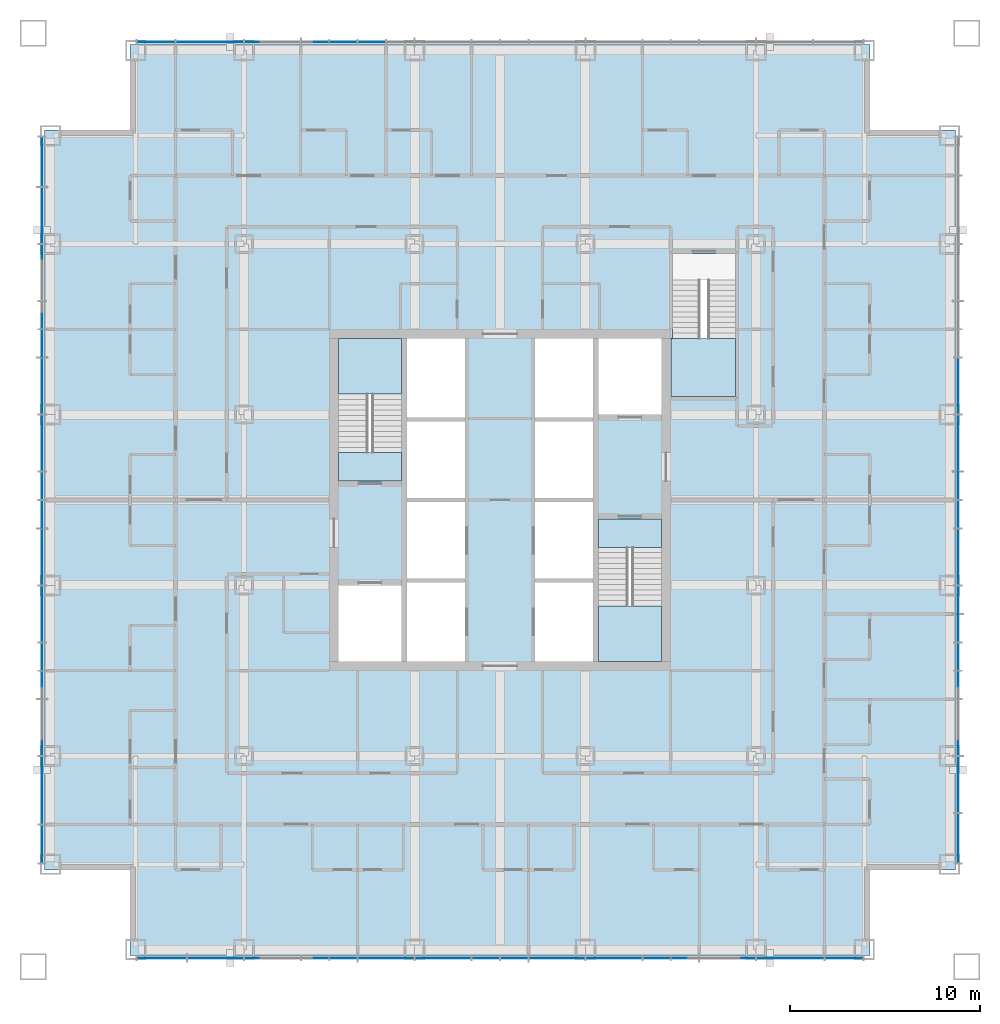
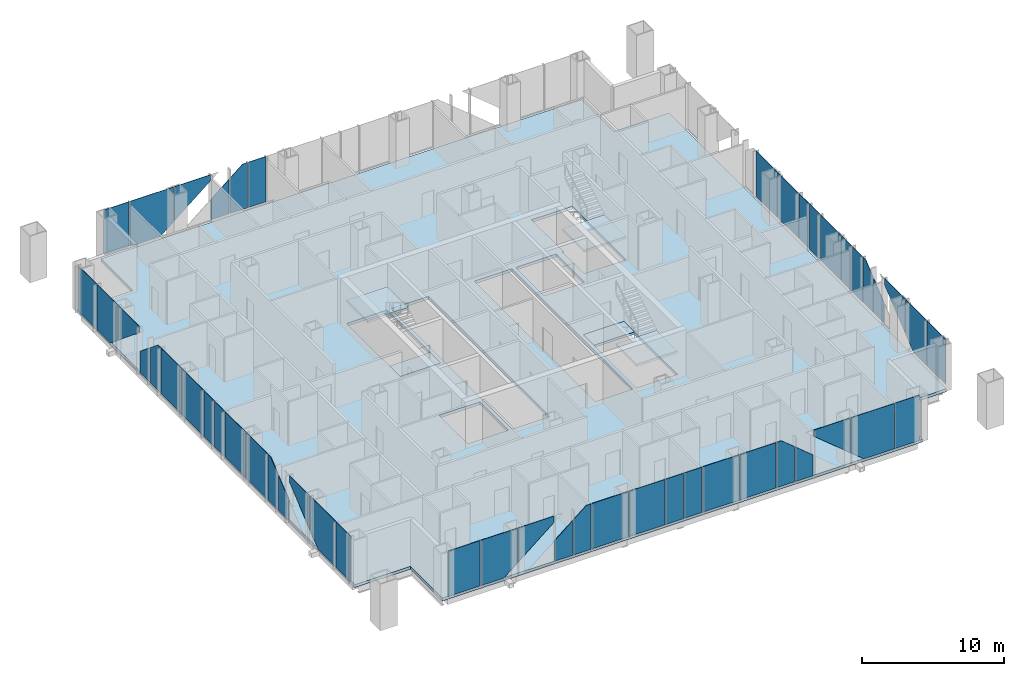
# One storey, part 7 of 16: 50 plates, 6 slabs, 7 elements without a shape of their own.
"""IFC4 building model written with IfcOpenShell, lengths in metres."""

from ifc_helpers import new_model, si_unit, direction, frame, origin, origin_2d, place, context, subcontext, project, spatial, polyline, rectangle, outline, extrude, material, layer, layer_set, type_object, element, aggregate, save


model = new_model("IFC4")

# Units and contexts
model_context = context("Model", 3, precision=1e-05, world=origin(), true_north=direction((0.0, 1.0)))
body_context = subcontext(model_context, "Body", "Model", "MODEL_VIEW")
ifc_project = project(units=[si_unit("LENGTHUNIT", "METRE"), si_unit("AREAUNIT", "SQUARE_METRE"), si_unit("VOLUMEUNIT", "CUBIC_METRE"), si_unit("PLANEANGLEUNIT", "RADIAN"), si_unit("MASSUNIT", "GRAM", prefix="KILO")], contexts=[model_context])

# Site, building, storey
site_placement = place(None, origin())
site = spatial("IfcSite", under=ifc_project, at=site_placement, CompositionType="ELEMENT")
building_placement = place(site_placement, origin())
building = spatial("IfcBuilding", under=site, at=building_placement, Name="Malebo Sky Hospital", CompositionType="ELEMENT")
storey_placement = place(building_placement, frame((0.0, 0.0, 108.0)))
storey = spatial("IfcBuildingStorey", under=building, at=storey_placement, Name="L25", CompositionType="ELEMENT", Elevation=108.0)

# Slab
ifc_material_1 = material(Name="Concrete C40/50", Category="concrete")
ifc_layer_1 = layer(ifc_material_1, 0.25)
ifc_layer_set_1 = layer_set([ifc_layer_1], Name="COMPOSITE FLOOR SLAB 250")
slab_type_1 = type_object("IfcSlabType", Name="COMPOSITE FLOOR SLAB 250", PredefinedType="FLOOR", material=ifc_layer_set_1)
slab_1_placement = place(storey_placement, frame((0.0, 0.0, -0.25)))
element("IfcSlab", 1, at=slab_1_placement, inside=storey, type_object=slab_type_1, Name="Floor slab L25", PredefinedType="FLOOR", context=body_context, shape_type="SweptSolid", body=[
    extrude(outline(polyline([(40.5, 86.0), (40.5, 81.5), (36.0, 81.5), (36.0, 42.5), (40.5, 42.5), (40.5, 38.0), (79.5, 38.0), (79.5, 42.5), (84.0, 42.5), (84.0, 81.5), (79.5, 81.5), (79.5, 86.0), (40.5, 86.0)]), holes=[polyline([(55.10009765625, 70.5), (58.14990234375, 70.5), (58.14990234375, 53.5), (55.10009765625, 53.5), (55.10009765625, 70.5)]), polyline([(64.89990234375, 70.5), (64.89990234375, 53.5), (61.85009765625, 53.5), (61.85009765625, 70.5), (64.89990234375, 70.5)]), polyline([(54.800048828125, 63.0), (51.5, 63.0), (51.5, 70.5), (54.800048828125, 70.5), (54.800048828125, 63.0)]), polyline([(51.5, 53.5), (51.5, 57.5), (54.800048828125, 57.5), (54.800048828125, 53.5), (51.5, 53.5)]), polyline([(65.199951171875, 61.0), (68.5, 61.0), (68.5, 53.5), (65.199951171875, 53.5), (65.199951171875, 61.0)]), polyline([(68.5, 70.5), (68.5, 66.5), (65.199951171875, 66.5), (65.199951171875, 70.5), (68.5, 70.5)]), polyline([(69.0, 67.449951171875), (69.0, 70.52001953125), (69.10009765625, 70.52001953125), (69.10009765625, 75.0), (72.39990234375, 75.0), (72.39990234375, 67.449951171875), (69.10009765625, 67.449951171875), (69.0, 67.449951171875)])]), origin(), (0.0, 0.0, 1.0), 0.25),
])

# Stair, slabs
stair_type_1 = type_object("IfcStairType", Name="HALF-TURN STAIR 1500 R167", PredefinedType="HALF_TURN_STAIR", material=ifc_material_1)
stair_1_placement = place(storey_placement, origin())
stair_1 = element("IfcStair", 2, at=stair_1_placement, inside=storey, type_object=stair_type_1, Name="Stair S1 L25 type ST1", PredefinedType="HALF_TURN_STAIR")
ifc_layer_2 = layer(ifc_material_1, 0.199951171875)
ifc_layer_set_2 = layer_set([ifc_layer_2], Name="STAIR LANDING 200")
slab_type_2 = type_object("IfcSlabType", Name="STAIR LANDING 200", PredefinedType="LANDING", material=ifc_layer_set_2)
slab_2_placement = place(storey_placement, frame((0.0, 0.0, -0.199951171875)))
slab_2 = element("IfcSlab", 3, at=slab_2_placement, type_object=slab_type_2, Name="S1 landing 1", PredefinedType="LANDING", context=body_context, shape_type="SweptSolid", body=[
    extrude(outline(polyline([(51.5, 63.0), (54.800048828125, 63.0), (54.800048828125, 64.5), (51.5, 64.5), (51.5, 63.0)])), origin(), (0.0, 0.0, 1.0), 0.199951171875),
])
slab_3_placement = place(storey_placement, frame((0.0, 0.0, 1.800048828125)))
slab_3 = element("IfcSlab", 4, at=slab_3_placement, type_object=slab_type_2, Name="S1 landing 2", PredefinedType="LANDING", context=body_context, shape_type="SweptSolid", body=[
    extrude(outline(polyline([(51.5, 67.580078125), (54.800048828125, 67.580078125), (54.800048828125, 70.5), (51.5, 70.5), (51.5, 67.580078125)])), origin(), (0.0, 0.0, 1.0), 0.199951171875),
])
aggregate(stair_1, [slab_2, slab_3])

stair_2_placement = place(storey_placement, origin())
stair_2 = element("IfcStair", 5, at=stair_2_placement, inside=storey, type_object=stair_type_1, Name="Stair S2 L25 type ST1", PredefinedType="HALF_TURN_STAIR")
slab_4_placement = place(storey_placement, frame((0.0, 0.0, -0.199951171875)))
slab_4 = element("IfcSlab", 6, at=slab_4_placement, type_object=slab_type_2, Name="S2 landing 1", PredefinedType="LANDING", context=body_context, shape_type="SweptSolid", body=[
    extrude(outline(polyline([(65.199951171875, 59.5), (68.5, 59.5), (68.5, 61.0), (65.199951171875, 61.0), (65.199951171875, 59.5)])), origin(), (0.0, 0.0, 1.0), 0.199951171875),
])
slab_5_placement = place(storey_placement, frame((0.0, 0.0, 1.800048828125)))
slab_5 = element("IfcSlab", 7, at=slab_5_placement, type_object=slab_type_2, Name="S2 landing 2", PredefinedType="LANDING", context=body_context, shape_type="SweptSolid", body=[
    extrude(outline(polyline([(65.199951171875, 53.5), (68.5, 53.5), (68.5, 56.419921875), (65.199951171875, 56.419921875), (65.199951171875, 53.5)])), origin(), (0.0, 0.0, 1.0), 0.199951171875),
])
aggregate(stair_2, [slab_4, slab_5])

# Stair, slab
stair_type_2 = type_object("IfcStairType", Name="HALF-TURN STAIR 1400 R167", PredefinedType="HALF_TURN_STAIR", material=ifc_material_1)
stair_3_placement = place(storey_placement, origin())
stair_3 = element("IfcStair", 8, at=stair_3_placement, inside=storey, type_object=stair_type_2, Name="Stair S3 L25 type ST1B", PredefinedType="HALF_TURN_STAIR")
slab_6_placement = place(storey_placement, frame((0.0, 0.0, 1.800048828125)))
slab_6 = element("IfcSlab", 9, at=slab_6_placement, type_object=slab_type_2, Name="S3 landing 2", PredefinedType="LANDING", context=body_context, shape_type="SweptSolid", body=[
    extrude(outline(polyline([(69.0, 67.449951171875), (72.39990234375, 67.449951171875), (72.39990234375, 70.52001953125), (69.0, 70.52001953125), (69.0, 67.449951171875)])), origin(), (0.0, 0.0, 1.0), 0.199951171875),
])
aggregate(stair_3, [slab_6])

# Curtain wall, plates
ifc_material_2 = material(Name="Anodised aluminium, natural silver", Category="aluminium")
ifc_layer_3 = layer(ifc_material_2, 0.25)
ifc_layer_set_3 = layer_set([ifc_layer_3], Name="WARD CURTAIN WALL NORTH AND SOUTH")
curtain_wall_type_1 = type_object("IfcCurtainWallType", Name="WARD CURTAIN WALL NORTH AND SOUTH", PredefinedType="NOTDEFINED", material=ifc_layer_set_3)
curtain_wall_1_placement = place(storey_placement, origin())
curtain_wall_1 = element("IfcCurtainWall", 10, at=curtain_wall_1_placement, inside=storey, type_object=curtain_wall_type_1, Name="NS curtain wall N", PredefinedType="NOTDEFINED")
ifc_material_3 = material(Name="Clear low-iron double glazing", Category="glass")
ifc_layer_4 = layer(ifc_material_3, 0.031982421875)
ifc_layer_set_4 = layer_set([ifc_layer_4], Name="VISION PANEL CLEAR 32")
plate_type = type_object("IfcPlateType", Name="VISION PANEL CLEAR 32", PredefinedType="CURTAIN_PANEL", material=ifc_layer_set_4)
plate_1_placement = place(storey_placement, frame((41.86865234375, 86.135009765625, 0.10009765625), z_axis=(0.0, 0.0, 1.0), x_axis=(1.0, 0.0, 0.0)))
plate_1 = element("IfcPlate", 11, at=plate_1_placement, type_object=plate_type, Name="Panel 1", PredefinedType="CURTAIN_PANEL", context=body_context, shape_type="SweptSolid", body=[
    extrude(rectangle(XDim=1.987548828125, YDim=0.031982421875, at=origin_2d()), origin(), (0.0, 0.0, 1.0), 3.889892578125),
])
plate_2_placement = place(storey_placement, frame((44.699951171875, 86.135009765625, 0.10009765625), z_axis=(0.0, 0.0, 1.0), x_axis=(1.0, 0.0, 0.0)))
plate_2 = element("IfcPlate", 12, at=plate_2_placement, type_object=plate_type, Name="Panel 2", PredefinedType="CURTAIN_PANEL", context=body_context, shape_type="SweptSolid", body=[
    extrude(outline(polyline([(-1.762451171875, 0.0), (0.697021484375, 0.0), (1.762451171875, 0.878173828125), (1.762451171875, 3.889892578125), (-1.762451171875, 3.889892578125), (-1.762451171875, 0.0)])), frame((0.0, 0.01611328125, 0.0), z_axis=(0.0, -1.0, 0.0), x_axis=(1.0, 0.0, 0.0)), (0.0, 0.0, 1.0), 0.031982421875),
])
plate_3_placement = place(storey_placement, frame((48.0, 86.135009765625, 1.0400390625), z_axis=(0.0, 0.0, 1.0), x_axis=(1.0, 0.0, 0.0)))
plate_3 = element("IfcPlate", 13, at=plate_3_placement, type_object=plate_type, Name="Panel 3", PredefinedType="CURTAIN_PANEL", context=body_context, shape_type="SweptSolid", body=[
    extrude(outline(polyline([(-1.46240234375, 0.0), (1.46240234375, 2.41064453125), (1.46240234375, 2.949951171875), (-1.46240234375, 2.949951171875), (-1.46240234375, 0.0)])), frame((0.0, 0.01611328125, 0.0), z_axis=(0.0, -1.0, 0.0), x_axis=(1.0, 0.0, 0.0)), (0.0, 0.0, 1.0), 0.031982421875),
])
plate_4_placement = place(storey_placement, frame((50.25, 86.135009765625, 0.10009765625), z_axis=(0.0, 0.0, 1.0), x_axis=(1.0, 0.0, 0.0)))
plate_4 = element("IfcPlate", 14, at=plate_4_placement, type_object=plate_type, Name="Panel 4", PredefinedType="CURTAIN_PANEL", context=body_context, shape_type="SweptSolid", body=[
    extrude(outline(polyline([(-0.71240234375, 0.0), (0.71240234375, 0.0), (0.71240234375, 2.9658203125), (-0.71240234375, 1.79150390625), (-0.71240234375, 0.0)])), frame((0.0, 0.01611328125, 0.0), z_axis=(0.0, -1.0, 0.0), x_axis=(1.0, 0.0, 0.0)), (0.0, 0.0, 1.0), 0.031982421875),
])
plate_5_placement = place(storey_placement, frame((51.75, 86.135009765625, 0.10009765625), z_axis=(0.0, 0.0, 1.0), x_axis=(1.0, 0.0, 0.0)))
plate_5 = element("IfcPlate", 15, at=plate_5_placement, type_object=plate_type, Name="Panel 5", PredefinedType="CURTAIN_PANEL", context=body_context, shape_type="SweptSolid", body=[
    extrude(outline(polyline([(-0.71240234375, 0.0), (0.71240234375, 0.0), (0.71240234375, 3.889892578125), (0.333740234375, 3.889892578125), (-0.71240234375, 3.02783203125), (-0.71240234375, 0.0)])), frame((0.0, 0.01611328125, 0.0), z_axis=(0.0, -1.0, 0.0), x_axis=(1.0, 0.0, 0.0)), (0.0, 0.0, 1.0), 0.031982421875),
])
plate_6_placement = place(storey_placement, frame((53.25, 86.135009765625, 0.10009765625), z_axis=(0.0, 0.0, 1.0), x_axis=(1.0, 0.0, 0.0)))
plate_6 = element("IfcPlate", 16, at=plate_6_placement, type_object=plate_type, Name="Panel 6", PredefinedType="CURTAIN_PANEL", context=body_context, shape_type="SweptSolid", body=[
    extrude(rectangle(XDim=1.425048828125, YDim=0.031982421875, at=origin_2d()), origin(), (0.0, 0.0, 1.0), 3.889892578125),
])
aggregate(curtain_wall_1, [plate_1, plate_2, plate_3, plate_4, plate_5, plate_6])

ifc_layer_5 = layer(ifc_material_2, 0.25)
ifc_layer_set_5 = layer_set([ifc_layer_5], Name="WARD CURTAIN WALL EAST AND WEST")
curtain_wall_type_2 = type_object("IfcCurtainWallType", Name="WARD CURTAIN WALL EAST AND WEST", PredefinedType="NOTDEFINED", material=ifc_layer_set_5)
curtain_wall_2_placement = place(storey_placement, origin())
curtain_wall_2 = element("IfcCurtainWall", 17, at=curtain_wall_2_placement, inside=storey, type_object=curtain_wall_type_2, Name="EW curtain wall W", PredefinedType="NOTDEFINED")
plate_7_placement = place(storey_placement, frame((35.864990234375, 43.86865234375, 0.10009765625), z_axis=(0.0, 0.0, 1.0), x_axis=(0.0, 1.0, 0.0)))
plate_7 = element("IfcPlate", 18, at=plate_7_placement, type_object=plate_type, Name="Panel 1", PredefinedType="CURTAIN_PANEL", context=body_context, shape_type="SweptSolid", body=[
    extrude(rectangle(XDim=1.987548828125, YDim=0.031982421875, at=origin_2d()), origin(), (0.0, 0.0, 1.0), 3.889892578125),
])
plate_8_placement = place(storey_placement, frame((35.864990234375, 46.699951171875, 0.10009765625), z_axis=(0.0, 0.0, 1.0), x_axis=(0.0, 1.0, 0.0)))
plate_8 = element("IfcPlate", 19, at=plate_8_placement, type_object=plate_type, Name="Panel 2", PredefinedType="CURTAIN_PANEL", context=body_context, shape_type="SweptSolid", body=[
    extrude(outline(polyline([(-1.762451171875, 0.0), (0.697021484375, 0.0), (1.762451171875, 0.878173828125), (1.762451171875, 3.889892578125), (-1.762451171875, 3.889892578125), (-1.762451171875, 0.0)])), frame((0.0, 0.01611328125, 0.0), z_axis=(0.0, -1.0, 0.0), x_axis=(1.0, 0.0, 0.0)), (0.0, 0.0, 1.0), 0.031982421875),
])
plate_9_placement = place(storey_placement, frame((35.864990234375, 50.0, 1.0400390625), z_axis=(0.0, 0.0, 1.0), x_axis=(0.0, 1.0, 0.0)))
plate_9 = element("IfcPlate", 20, at=plate_9_placement, type_object=plate_type, Name="Panel 3", PredefinedType="CURTAIN_PANEL", context=body_context, shape_type="SweptSolid", body=[
    extrude(outline(polyline([(-1.46240234375, 0.0), (1.46240234375, 2.41064453125), (1.46240234375, 2.949951171875), (-1.46240234375, 2.949951171875), (-1.46240234375, 0.0)])), frame((0.0, 0.01611328125, 0.0), z_axis=(0.0, -1.0, 0.0), x_axis=(1.0, 0.0, 0.0)), (0.0, 0.0, 1.0), 0.031982421875),
])
plate_10_placement = place(storey_placement, frame((35.864990234375, 52.25, 0.10009765625), z_axis=(0.0, 0.0, 1.0), x_axis=(0.0, 1.0, 0.0)))
plate_10 = element("IfcPlate", 21, at=plate_10_placement, type_object=plate_type, Name="Panel 4", PredefinedType="CURTAIN_PANEL", context=body_context, shape_type="SweptSolid", body=[
    extrude(outline(polyline([(-0.71240234375, 0.0), (0.71240234375, 0.0), (0.71240234375, 2.9658203125), (-0.71240234375, 1.79150390625), (-0.71240234375, 0.0)])), frame((0.0, 0.01611328125, 0.0), z_axis=(0.0, -1.0, 0.0), x_axis=(1.0, 0.0, 0.0)), (0.0, 0.0, 1.0), 0.031982421875),
])
plate_11_placement = place(storey_placement, frame((35.864990234375, 53.75, 0.10009765625), z_axis=(0.0, 0.0, 1.0), x_axis=(0.0, 1.0, 0.0)))
plate_11 = element("IfcPlate", 22, at=plate_11_placement, type_object=plate_type, Name="Panel 5", PredefinedType="CURTAIN_PANEL", context=body_context, shape_type="SweptSolid", body=[
    extrude(outline(polyline([(-0.71240234375, 0.0), (0.71240234375, 0.0), (0.71240234375, 3.889892578125), (0.333740234375, 3.889892578125), (-0.71240234375, 3.02783203125), (-0.71240234375, 0.0)])), frame((0.0, 0.01611328125, 0.0), z_axis=(0.0, -1.0, 0.0), x_axis=(1.0, 0.0, 0.0)), (0.0, 0.0, 1.0), 0.031982421875),
])
plate_12_placement = place(storey_placement, frame((35.864990234375, 56.0, 0.10009765625), z_axis=(0.0, 0.0, 1.0), x_axis=(0.0, 1.0, 0.0)))
plate_12 = element("IfcPlate", 23, at=plate_12_placement, type_object=plate_type, Name="Panel 6", PredefinedType="CURTAIN_PANEL", context=body_context, shape_type="SweptSolid", body=[
    extrude(rectangle(XDim=2.925048828125, YDim=0.031982421875, at=origin_2d()), origin(), (0.0, 0.0, 1.0), 3.889892578125),
])
plate_13_placement = place(storey_placement, frame((35.864990234375, 59.0, 0.10009765625), z_axis=(0.0, 0.0, 1.0), x_axis=(0.0, 1.0, 0.0)))
plate_13 = element("IfcPlate", 24, at=plate_13_placement, type_object=plate_type, Name="Panel 7", PredefinedType="CURTAIN_PANEL", context=body_context, shape_type="SweptSolid", body=[
    extrude(rectangle(XDim=2.925048828125, YDim=0.031982421875, at=origin_2d()), origin(), (0.0, 0.0, 1.0), 3.889892578125),
])
plate_14_placement = place(storey_placement, frame((35.864990234375, 61.25, 0.10009765625), z_axis=(0.0, 0.0, 1.0), x_axis=(0.0, 1.0, 0.0)))
plate_14 = element("IfcPlate", 25, at=plate_14_placement, type_object=plate_type, Name="Panel 8", PredefinedType="CURTAIN_PANEL", context=body_context, shape_type="SweptSolid", body=[
    extrude(rectangle(XDim=1.425048828125, YDim=0.031982421875, at=origin_2d()), origin(), (0.0, 0.0, 1.0), 3.889892578125),
])
plate_15_placement = place(storey_placement, frame((35.864990234375, 62.75, 0.10009765625), z_axis=(0.0, 0.0, 1.0), x_axis=(0.0, 1.0, 0.0)))
plate_15 = element("IfcPlate", 26, at=plate_15_placement, type_object=plate_type, Name="Panel 9", PredefinedType="CURTAIN_PANEL", context=body_context, shape_type="SweptSolid", body=[
    extrude(rectangle(XDim=1.425048828125, YDim=0.031982421875, at=origin_2d()), origin(), (0.0, 0.0, 1.0), 3.889892578125),
])
plate_16_placement = place(storey_placement, frame((35.864990234375, 65.0, 0.10009765625), z_axis=(0.0, 0.0, 1.0), x_axis=(0.0, 1.0, 0.0)))
plate_16 = element("IfcPlate", 27, at=plate_16_placement, type_object=plate_type, Name="Panel 10", PredefinedType="CURTAIN_PANEL", context=body_context, shape_type="SweptSolid", body=[
    extrude(rectangle(XDim=2.925048828125, YDim=0.031982421875, at=origin_2d()), origin(), (0.0, 0.0, 1.0), 3.889892578125),
])
plate_17_placement = place(storey_placement, frame((35.864990234375, 68.0, 0.10009765625), z_axis=(0.0, 0.0, 1.0), x_axis=(0.0, 1.0, 0.0)))
plate_17 = element("IfcPlate", 28, at=plate_17_placement, type_object=plate_type, Name="Panel 11", PredefinedType="CURTAIN_PANEL", context=body_context, shape_type="SweptSolid", body=[
    extrude(rectangle(XDim=2.925048828125, YDim=0.031982421875, at=origin_2d()), origin(), (0.0, 0.0, 1.0), 3.889892578125),
])
plate_18_placement = place(storey_placement, frame((35.864990234375, 70.25, 0.10009765625), z_axis=(0.0, 0.0, 1.0), x_axis=(0.0, 1.0, 0.0)))
plate_18 = element("IfcPlate", 29, at=plate_18_placement, type_object=plate_type, Name="Panel 12", PredefinedType="CURTAIN_PANEL", context=body_context, shape_type="SweptSolid", body=[
    extrude(outline(polyline([(-0.71240234375, 0.0), (0.71240234375, 0.0), (0.71240234375, 3.02783203125), (-0.333740234375, 3.889892578125), (-0.71240234375, 3.889892578125), (-0.71240234375, 0.0)])), frame((0.0, 0.01611328125, 0.0), z_axis=(0.0, -1.0, 0.0), x_axis=(1.0, 0.0, 0.0)), (0.0, 0.0, 1.0), 0.031982421875),
])
plate_19_placement = place(storey_placement, frame((35.864990234375, 71.75, 0.10009765625), z_axis=(0.0, 0.0, 1.0), x_axis=(0.0, 1.0, 0.0)))
plate_19 = element("IfcPlate", 30, at=plate_19_placement, type_object=plate_type, Name="Panel 13", PredefinedType="CURTAIN_PANEL", context=body_context, shape_type="SweptSolid", body=[
    extrude(outline(polyline([(-0.71240234375, 0.0), (0.71240234375, 0.0), (0.71240234375, 1.79150390625), (-0.71240234375, 2.9658203125), (-0.71240234375, 0.0)])), frame((0.0, 0.01611328125, 0.0), z_axis=(0.0, -1.0, 0.0), x_axis=(1.0, 0.0, 0.0)), (0.0, 0.0, 1.0), 0.031982421875),
])
plate_20_placement = place(storey_placement, frame((35.864990234375, 74.0, 1.0400390625), z_axis=(0.0, 0.0, 1.0), x_axis=(0.0, 1.0, 0.0)))
plate_20 = element("IfcPlate", 31, at=plate_20_placement, type_object=plate_type, Name="Panel 14", PredefinedType="CURTAIN_PANEL", context=body_context, shape_type="SweptSolid", body=[
    extrude(outline(polyline([(1.46240234375, 0.0), (1.46240234375, 2.949951171875), (-1.46240234375, 2.949951171875), (-1.46240234375, 2.41064453125), (1.46240234375, 0.0)])), frame((0.0, 0.01611328125, 0.0), z_axis=(0.0, -1.0, 0.0), x_axis=(1.0, 0.0, 0.0)), (0.0, 0.0, 1.0), 0.031982421875),
])
plate_21_placement = place(storey_placement, frame((35.864990234375, 77.0, 0.10009765625), z_axis=(0.0, 0.0, 1.0), x_axis=(0.0, 1.0, 0.0)))
plate_21 = element("IfcPlate", 32, at=plate_21_placement, type_object=plate_type, Name="Panel 15", PredefinedType="CURTAIN_PANEL", context=body_context, shape_type="SweptSolid", body=[
    extrude(outline(polyline([(-0.39697265625, 0.0), (1.46240234375, 0.0), (1.46240234375, 3.889892578125), (-1.46240234375, 3.889892578125), (-1.46240234375, 0.878173828125), (-0.39697265625, 0.0)])), frame((0.0, 0.01611328125, 0.0), z_axis=(0.0, -1.0, 0.0), x_axis=(1.0, 0.0, 0.0)), (0.0, 0.0, 1.0), 0.031982421875),
])
plate_22_placement = place(storey_placement, frame((35.864990234375, 79.831298828125, 0.10009765625), z_axis=(0.0, 0.0, 1.0), x_axis=(0.0, 1.0, 0.0)))
plate_22 = element("IfcPlate", 33, at=plate_22_placement, type_object=plate_type, Name="Panel 16", PredefinedType="CURTAIN_PANEL", context=body_context, shape_type="SweptSolid", body=[
    extrude(rectangle(XDim=2.58740234375, YDim=0.031982421875, at=origin_2d()), origin(), (0.0, 0.0, 1.0), 3.889892578125),
])
aggregate(curtain_wall_2, [plate_7, plate_8, plate_9, plate_10, plate_11, plate_12, plate_13, plate_14, plate_15, plate_16, plate_17, plate_18, plate_19, plate_20, plate_21, plate_22])

curtain_wall_3_placement = place(storey_placement, origin())
curtain_wall_3 = element("IfcCurtainWall", 34, at=curtain_wall_3_placement, inside=storey, type_object=curtain_wall_type_1, Name="NS curtain wall S", PredefinedType="NOTDEFINED")
plate_23_placement = place(storey_placement, frame((78.13134765625, 37.864990234375, 0.10009765625), z_axis=(0.0, 0.0, 1.0), x_axis=(-1.0, 0.0, 0.0)))
plate_23 = element("IfcPlate", 35, at=plate_23_placement, type_object=plate_type, Name="Panel 1", PredefinedType="CURTAIN_PANEL", context=body_context, shape_type="SweptSolid", body=[
    extrude(rectangle(XDim=1.987548828125, YDim=0.031982421875, at=origin_2d()), origin(), (0.0, 0.0, 1.0), 3.889892578125),
])
plate_24_placement = place(storey_placement, frame((75.300048828125, 37.864990234375, 0.10009765625), z_axis=(0.0, 0.0, 1.0), x_axis=(-1.0, 0.0, 0.0)))
plate_24 = element("IfcPlate", 36, at=plate_24_placement, type_object=plate_type, Name="Panel 2", PredefinedType="CURTAIN_PANEL", context=body_context, shape_type="SweptSolid", body=[
    extrude(outline(polyline([(-1.762451171875, 0.0), (0.697021484375, 0.0), (1.762451171875, 0.878173828125), (1.762451171875, 3.889892578125), (-1.762451171875, 3.889892578125), (-1.762451171875, 0.0)])), frame((0.0, 0.01611328125, 0.0), z_axis=(0.0, -1.0, 0.0), x_axis=(1.0, 0.0, 0.0)), (0.0, 0.0, 1.0), 0.031982421875),
])
plate_25_placement = place(storey_placement, frame((72.0, 37.864990234375, 1.0400390625), z_axis=(0.0, 0.0, 1.0), x_axis=(-1.0, 0.0, 0.0)))
plate_25 = element("IfcPlate", 37, at=plate_25_placement, type_object=plate_type, Name="Panel 3", PredefinedType="CURTAIN_PANEL", context=body_context, shape_type="SweptSolid", body=[
    extrude(outline(polyline([(-1.46240234375, 0.0), (1.46240234375, 2.41064453125), (1.46240234375, 2.949951171875), (-1.46240234375, 2.949951171875), (-1.46240234375, 0.0)])), frame((0.0, 0.01611328125, 0.0), z_axis=(0.0, -1.0, 0.0), x_axis=(1.0, 0.0, 0.0)), (0.0, 0.0, 1.0), 0.031982421875),
])
plate_26_placement = place(storey_placement, frame((69.75, 37.864990234375, 0.10009765625), z_axis=(0.0, 0.0, 1.0), x_axis=(-1.0, 0.0, 0.0)))
plate_26 = element("IfcPlate", 38, at=plate_26_placement, type_object=plate_type, Name="Panel 4", PredefinedType="CURTAIN_PANEL", context=body_context, shape_type="SweptSolid", body=[
    extrude(outline(polyline([(-0.71240234375, 0.0), (0.71240234375, 0.0), (0.71240234375, 2.9658203125), (-0.71240234375, 1.79150390625), (-0.71240234375, 0.0)])), frame((0.0, 0.01611328125, 0.0), z_axis=(0.0, -1.0, 0.0), x_axis=(1.0, 0.0, 0.0)), (0.0, 0.0, 1.0), 0.031982421875),
])
plate_27_placement = place(storey_placement, frame((68.25, 37.864990234375, 0.10009765625), z_axis=(0.0, 0.0, 1.0), x_axis=(-1.0, 0.0, 0.0)))
plate_27 = element("IfcPlate", 39, at=plate_27_placement, type_object=plate_type, Name="Panel 5", PredefinedType="CURTAIN_PANEL", context=body_context, shape_type="SweptSolid", body=[
    extrude(outline(polyline([(-0.71240234375, 0.0), (0.71240234375, 0.0), (0.71240234375, 3.889892578125), (0.333740234375, 3.889892578125), (-0.71240234375, 3.02783203125), (-0.71240234375, 0.0)])), frame((0.0, 0.01611328125, 0.0), z_axis=(0.0, -1.0, 0.0), x_axis=(1.0, 0.0, 0.0)), (0.0, 0.0, 1.0), 0.031982421875),
])
plate_28_placement = place(storey_placement, frame((66.0, 37.864990234375, 0.10009765625), z_axis=(0.0, 0.0, 1.0), x_axis=(-1.0, 0.0, 0.0)))
plate_28 = element("IfcPlate", 40, at=plate_28_placement, type_object=plate_type, Name="Panel 6", PredefinedType="CURTAIN_PANEL", context=body_context, shape_type="SweptSolid", body=[
    extrude(rectangle(XDim=2.925048828125, YDim=0.031982421875, at=origin_2d()), origin(), (0.0, 0.0, 1.0), 3.889892578125),
])
plate_29_placement = place(storey_placement, frame((63.0, 37.864990234375, 0.10009765625), z_axis=(0.0, 0.0, 1.0), x_axis=(-1.0, 0.0, 0.0)))
plate_29 = element("IfcPlate", 41, at=plate_29_placement, type_object=plate_type, Name="Panel 7", PredefinedType="CURTAIN_PANEL", context=body_context, shape_type="SweptSolid", body=[
    extrude(rectangle(XDim=2.925048828125, YDim=0.031982421875, at=origin_2d()), origin(), (0.0, 0.0, 1.0), 3.889892578125),
])
plate_30_placement = place(storey_placement, frame((60.75, 37.864990234375, 0.10009765625), z_axis=(0.0, 0.0, 1.0), x_axis=(-1.0, 0.0, 0.0)))
plate_30 = element("IfcPlate", 42, at=plate_30_placement, type_object=plate_type, Name="Panel 8", PredefinedType="CURTAIN_PANEL", context=body_context, shape_type="SweptSolid", body=[
    extrude(rectangle(XDim=1.425048828125, YDim=0.031982421875, at=origin_2d()), origin(), (0.0, 0.0, 1.0), 3.889892578125),
])
plate_31_placement = place(storey_placement, frame((59.25, 37.864990234375, 0.10009765625), z_axis=(0.0, 0.0, 1.0), x_axis=(-1.0, 0.0, 0.0)))
plate_31 = element("IfcPlate", 43, at=plate_31_placement, type_object=plate_type, Name="Panel 9", PredefinedType="CURTAIN_PANEL", context=body_context, shape_type="SweptSolid", body=[
    extrude(rectangle(XDim=1.425048828125, YDim=0.031982421875, at=origin_2d()), origin(), (0.0, 0.0, 1.0), 3.889892578125),
])
plate_32_placement = place(storey_placement, frame((57.0, 37.864990234375, 0.10009765625), z_axis=(0.0, 0.0, 1.0), x_axis=(-1.0, 0.0, 0.0)))
plate_32 = element("IfcPlate", 44, at=plate_32_placement, type_object=plate_type, Name="Panel 10", PredefinedType="CURTAIN_PANEL", context=body_context, shape_type="SweptSolid", body=[
    extrude(rectangle(XDim=2.925048828125, YDim=0.031982421875, at=origin_2d()), origin(), (0.0, 0.0, 1.0), 3.889892578125),
])
plate_33_placement = place(storey_placement, frame((54.0, 37.864990234375, 0.10009765625), z_axis=(0.0, 0.0, 1.0), x_axis=(-1.0, 0.0, 0.0)))
plate_33 = element("IfcPlate", 45, at=plate_33_placement, type_object=plate_type, Name="Panel 11", PredefinedType="CURTAIN_PANEL", context=body_context, shape_type="SweptSolid", body=[
    extrude(rectangle(XDim=2.925048828125, YDim=0.031982421875, at=origin_2d()), origin(), (0.0, 0.0, 1.0), 3.889892578125),
])
plate_34_placement = place(storey_placement, frame((51.75, 37.864990234375, 0.10009765625), z_axis=(0.0, 0.0, 1.0), x_axis=(-1.0, 0.0, 0.0)))
plate_34 = element("IfcPlate", 46, at=plate_34_placement, type_object=plate_type, Name="Panel 12", PredefinedType="CURTAIN_PANEL", context=body_context, shape_type="SweptSolid", body=[
    extrude(outline(polyline([(-0.71240234375, 0.0), (0.71240234375, 0.0), (0.71240234375, 3.02783203125), (-0.333740234375, 3.889892578125), (-0.71240234375, 3.889892578125), (-0.71240234375, 0.0)])), frame((0.0, 0.01611328125, 0.0), z_axis=(0.0, -1.0, 0.0), x_axis=(1.0, 0.0, 0.0)), (0.0, 0.0, 1.0), 0.031982421875),
])
plate_35_placement = place(storey_placement, frame((50.25, 37.864990234375, 0.10009765625), z_axis=(0.0, 0.0, 1.0), x_axis=(-1.0, 0.0, 0.0)))
plate_35 = element("IfcPlate", 47, at=plate_35_placement, type_object=plate_type, Name="Panel 13", PredefinedType="CURTAIN_PANEL", context=body_context, shape_type="SweptSolid", body=[
    extrude(outline(polyline([(-0.71240234375, 0.0), (0.71240234375, 0.0), (0.71240234375, 1.79150390625), (-0.71240234375, 2.9658203125), (-0.71240234375, 0.0)])), frame((0.0, 0.01611328125, 0.0), z_axis=(0.0, -1.0, 0.0), x_axis=(1.0, 0.0, 0.0)), (0.0, 0.0, 1.0), 0.031982421875),
])
plate_36_placement = place(storey_placement, frame((48.0, 37.864990234375, 1.0400390625), z_axis=(0.0, 0.0, 1.0), x_axis=(-1.0, 0.0, 0.0)))
plate_36 = element("IfcPlate", 48, at=plate_36_placement, type_object=plate_type, Name="Panel 14", PredefinedType="CURTAIN_PANEL", context=body_context, shape_type="SweptSolid", body=[
    extrude(outline(polyline([(1.46240234375, 0.0), (1.46240234375, 2.949951171875), (-1.46240234375, 2.949951171875), (-1.46240234375, 2.41064453125), (1.46240234375, 0.0)])), frame((0.0, 0.01611328125, 0.0), z_axis=(0.0, -1.0, 0.0), x_axis=(1.0, 0.0, 0.0)), (0.0, 0.0, 1.0), 0.031982421875),
])
plate_37_placement = place(storey_placement, frame((45.0, 37.864990234375, 0.10009765625), z_axis=(0.0, 0.0, 1.0), x_axis=(-1.0, 0.0, 0.0)))
plate_37 = element("IfcPlate", 49, at=plate_37_placement, type_object=plate_type, Name="Panel 15", PredefinedType="CURTAIN_PANEL", context=body_context, shape_type="SweptSolid", body=[
    extrude(outline(polyline([(-0.39697265625, 0.0), (1.46240234375, 0.0), (1.46240234375, 3.889892578125), (-1.46240234375, 3.889892578125), (-1.46240234375, 0.878173828125), (-0.39697265625, 0.0)])), frame((0.0, 0.01611328125, 0.0), z_axis=(0.0, -1.0, 0.0), x_axis=(1.0, 0.0, 0.0)), (0.0, 0.0, 1.0), 0.031982421875),
])
plate_38_placement = place(storey_placement, frame((42.168701171875, 37.864990234375, 0.10009765625), z_axis=(0.0, 0.0, 1.0), x_axis=(-1.0, 0.0, 0.0)))
plate_38 = element("IfcPlate", 50, at=plate_38_placement, type_object=plate_type, Name="Panel 16", PredefinedType="CURTAIN_PANEL", context=body_context, shape_type="SweptSolid", body=[
    extrude(rectangle(XDim=2.58740234375, YDim=0.031982421875, at=origin_2d()), origin(), (0.0, 0.0, 1.0), 3.889892578125),
])
aggregate(curtain_wall_3, [plate_23, plate_24, plate_25, plate_26, plate_27, plate_28, plate_29, plate_30, plate_31, plate_32, plate_33, plate_34, plate_35, plate_36, plate_37, plate_38])

curtain_wall_4_placement = place(storey_placement, origin())
curtain_wall_4 = element("IfcCurtainWall", 51, at=curtain_wall_4_placement, inside=storey, type_object=curtain_wall_type_2, Name="EW curtain wall E", PredefinedType="NOTDEFINED")
plate_39_placement = place(storey_placement, frame((84.135009765625, 68.0, 0.10009765625), z_axis=(0.0, 0.0, 1.0), x_axis=(0.0, -1.0, 0.0)))
plate_39 = element("IfcPlate", 52, at=plate_39_placement, type_object=plate_type, Name="Panel 6", PredefinedType="CURTAIN_PANEL", context=body_context, shape_type="SweptSolid", body=[
    extrude(rectangle(XDim=2.925048828125, YDim=0.031982421875, at=origin_2d()), origin(), (0.0, 0.0, 1.0), 3.889892578125),
])
plate_40_placement = place(storey_placement, frame((84.135009765625, 65.0, 0.10009765625), z_axis=(0.0, 0.0, 1.0), x_axis=(0.0, -1.0, 0.0)))
plate_40 = element("IfcPlate", 53, at=plate_40_placement, type_object=plate_type, Name="Panel 7", PredefinedType="CURTAIN_PANEL", context=body_context, shape_type="SweptSolid", body=[
    extrude(rectangle(XDim=2.925048828125, YDim=0.031982421875, at=origin_2d()), origin(), (0.0, 0.0, 1.0), 3.889892578125),
])
plate_41_placement = place(storey_placement, frame((84.135009765625, 62.75, 0.10009765625), z_axis=(0.0, 0.0, 1.0), x_axis=(0.0, -1.0, 0.0)))
plate_41 = element("IfcPlate", 54, at=plate_41_placement, type_object=plate_type, Name="Panel 8", PredefinedType="CURTAIN_PANEL", context=body_context, shape_type="SweptSolid", body=[
    extrude(rectangle(XDim=1.425048828125, YDim=0.031982421875, at=origin_2d()), origin(), (0.0, 0.0, 1.0), 3.889892578125),
])
plate_42_placement = place(storey_placement, frame((84.135009765625, 61.25, 0.10009765625), z_axis=(0.0, 0.0, 1.0), x_axis=(0.0, -1.0, 0.0)))
plate_42 = element("IfcPlate", 55, at=plate_42_placement, type_object=plate_type, Name="Panel 9", PredefinedType="CURTAIN_PANEL", context=body_context, shape_type="SweptSolid", body=[
    extrude(rectangle(XDim=1.425048828125, YDim=0.031982421875, at=origin_2d()), origin(), (0.0, 0.0, 1.0), 3.889892578125),
])
plate_43_placement = place(storey_placement, frame((84.135009765625, 59.0, 0.10009765625), z_axis=(0.0, 0.0, 1.0), x_axis=(0.0, -1.0, 0.0)))
plate_43 = element("IfcPlate", 56, at=plate_43_placement, type_object=plate_type, Name="Panel 10", PredefinedType="CURTAIN_PANEL", context=body_context, shape_type="SweptSolid", body=[
    extrude(rectangle(XDim=2.925048828125, YDim=0.031982421875, at=origin_2d()), origin(), (0.0, 0.0, 1.0), 3.889892578125),
])
plate_44_placement = place(storey_placement, frame((84.135009765625, 56.75, 0.10009765625), z_axis=(0.0, 0.0, 1.0), x_axis=(0.0, -1.0, 0.0)))
plate_44 = element("IfcPlate", 57, at=plate_44_placement, type_object=plate_type, Name="Panel 11", PredefinedType="CURTAIN_PANEL", context=body_context, shape_type="SweptSolid", body=[
    extrude(rectangle(XDim=1.425048828125, YDim=0.031982421875, at=origin_2d()), origin(), (0.0, 0.0, 1.0), 3.889892578125),
])
plate_45_placement = place(storey_placement, frame((84.135009765625, 55.25, 0.10009765625), z_axis=(0.0, 0.0, 1.0), x_axis=(0.0, -1.0, 0.0)))
plate_45 = element("IfcPlate", 58, at=plate_45_placement, type_object=plate_type, Name="Panel 12", PredefinedType="CURTAIN_PANEL", context=body_context, shape_type="SweptSolid", body=[
    extrude(rectangle(XDim=1.425048828125, YDim=0.031982421875, at=origin_2d()), origin(), (0.0, 0.0, 1.0), 3.889892578125),
])
plate_46_placement = place(storey_placement, frame((84.135009765625, 53.75, 0.10009765625), z_axis=(0.0, 0.0, 1.0), x_axis=(0.0, -1.0, 0.0)))
plate_46 = element("IfcPlate", 59, at=plate_46_placement, type_object=plate_type, Name="Panel 13", PredefinedType="CURTAIN_PANEL", context=body_context, shape_type="SweptSolid", body=[
    extrude(outline(polyline([(-0.71240234375, 0.0), (0.71240234375, 0.0), (0.71240234375, 3.02783203125), (-0.333740234375, 3.889892578125), (-0.71240234375, 3.889892578125), (-0.71240234375, 0.0)])), frame((0.0, 0.01611328125, 0.0), z_axis=(0.0, -1.0, 0.0), x_axis=(1.0, 0.0, 0.0)), (0.0, 0.0, 1.0), 0.031982421875),
])
plate_47_placement = place(storey_placement, frame((84.135009765625, 52.25, 0.10009765625), z_axis=(0.0, 0.0, 1.0), x_axis=(0.0, -1.0, 0.0)))
plate_47 = element("IfcPlate", 60, at=plate_47_placement, type_object=plate_type, Name="Panel 14", PredefinedType="CURTAIN_PANEL", context=body_context, shape_type="SweptSolid", body=[
    extrude(outline(polyline([(-0.71240234375, 0.0), (0.71240234375, 0.0), (0.71240234375, 1.79150390625), (-0.71240234375, 2.9658203125), (-0.71240234375, 0.0)])), frame((0.0, 0.01611328125, 0.0), z_axis=(0.0, -1.0, 0.0), x_axis=(1.0, 0.0, 0.0)), (0.0, 0.0, 1.0), 0.031982421875),
])
plate_48_placement = place(storey_placement, frame((84.135009765625, 50.0, 1.0400390625), z_axis=(0.0, 0.0, 1.0), x_axis=(0.0, -1.0, 0.0)))
plate_48 = element("IfcPlate", 61, at=plate_48_placement, type_object=plate_type, Name="Panel 15", PredefinedType="CURTAIN_PANEL", context=body_context, shape_type="SweptSolid", body=[
    extrude(outline(polyline([(1.46240234375, 0.0), (1.46240234375, 2.949951171875), (-1.46240234375, 2.949951171875), (-1.46240234375, 2.41064453125), (1.46240234375, 0.0)])), frame((0.0, 0.01611328125, 0.0), z_axis=(0.0, -1.0, 0.0), x_axis=(1.0, 0.0, 0.0)), (0.0, 0.0, 1.0), 0.031982421875),
])
plate_49_placement = place(storey_placement, frame((84.135009765625, 47.0, 0.10009765625), z_axis=(0.0, 0.0, 1.0), x_axis=(0.0, -1.0, 0.0)))
plate_49 = element("IfcPlate", 62, at=plate_49_placement, type_object=plate_type, Name="Panel 16", PredefinedType="CURTAIN_PANEL", context=body_context, shape_type="SweptSolid", body=[
    extrude(outline(polyline([(-0.39697265625, 0.0), (1.46240234375, 0.0), (1.46240234375, 3.889892578125), (-1.46240234375, 3.889892578125), (-1.46240234375, 0.878173828125), (-0.39697265625, 0.0)])), frame((0.0, 0.01611328125, 0.0), z_axis=(0.0, -1.0, 0.0), x_axis=(1.0, 0.0, 0.0)), (0.0, 0.0, 1.0), 0.031982421875),
])
plate_50_placement = place(storey_placement, frame((84.135009765625, 44.168701171875, 0.10009765625), z_axis=(0.0, 0.0, 1.0), x_axis=(0.0, -1.0, 0.0)))
plate_50 = element("IfcPlate", 63, at=plate_50_placement, type_object=plate_type, Name="Panel 17", PredefinedType="CURTAIN_PANEL", context=body_context, shape_type="SweptSolid", body=[
    extrude(rectangle(XDim=2.58740234375, YDim=0.031982421875, at=origin_2d()), origin(), (0.0, 0.0, 1.0), 3.889892578125),
])
aggregate(curtain_wall_4, [plate_39, plate_40, plate_41, plate_42, plate_43, plate_44, plate_45, plate_46, plate_47, plate_48, plate_49, plate_50])

save(model, "model.ifc")
